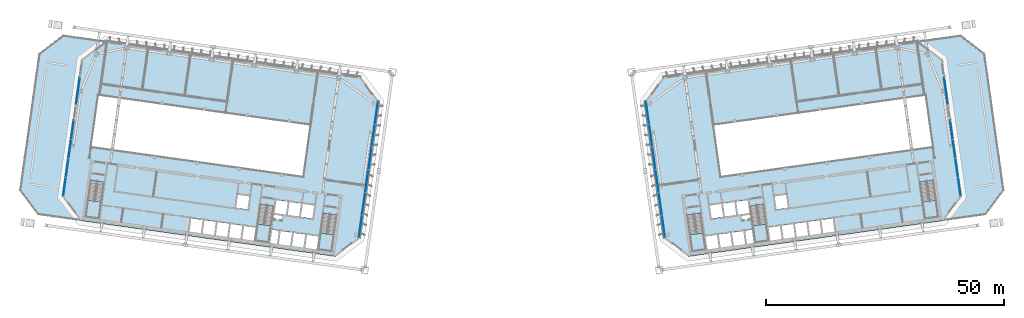
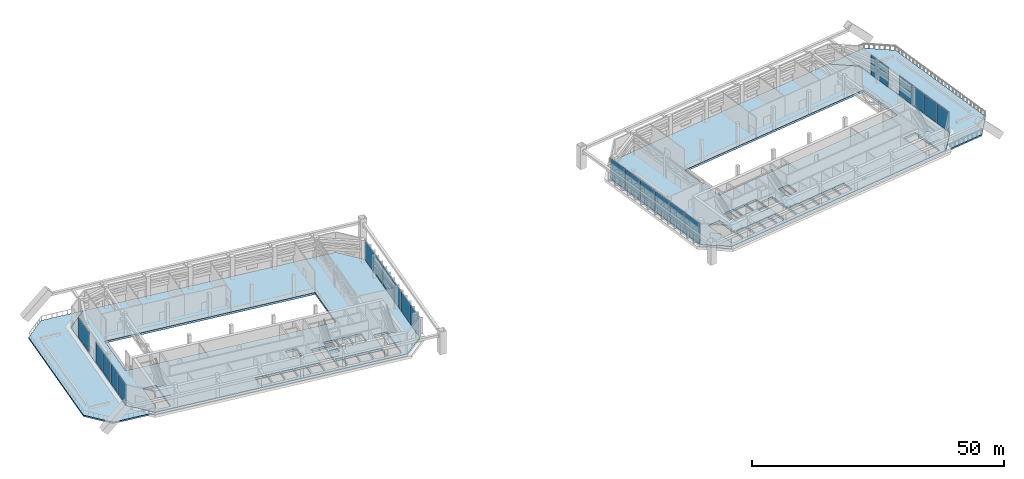
# One storey, part 19 of 41: 22 plates, 10 slabs, 12 elements without a shape of their own.
"""IFC4 building model written with IfcOpenShell, lengths in metres."""

from ifc_helpers import new_model, si_unit, direction, frame, origin, origin_2d, place, context, subcontext, project, spatial, polyline, rectangle, outline, extrude, material, layer, layer_set, type_object, element, aggregate, save


model = new_model("IFC4")

# Units and contexts
model_context = context("Model", 3, precision=1e-05, world=origin(), true_north=direction((0.0, 1.0)))
body_context = subcontext(model_context, "Body", "Model", "MODEL_VIEW")
ifc_project = project(units=[si_unit("LENGTHUNIT", "METRE"), si_unit("AREAUNIT", "SQUARE_METRE"), si_unit("VOLUMEUNIT", "CUBIC_METRE"), si_unit("PLANEANGLEUNIT", "RADIAN"), si_unit("MASSUNIT", "GRAM", prefix="KILO")], contexts=[model_context])

# Site, building, storey
site_placement = place(None, origin())
site = spatial("IfcSite", under=ifc_project, at=site_placement, CompositionType="ELEMENT")
building_placement = place(site_placement, origin())
building = spatial("IfcBuilding", under=site, at=building_placement, Name="Mirante Cascada Hotel Towers", CompositionType="ELEMENT")
storey_placement = place(building_placement, frame((0.0, 0.0, 151.9)))
storey = spatial("IfcBuildingStorey", under=building, at=storey_placement, Name="L35", CompositionType="ELEMENT", Elevation=151.9)

# Curtain wall, plates
ifc_material_1 = material(Name="Aluminium mullion and transom frame with clear laminated glass", Category="aluminium")
curtain_wall_type_1 = type_object("IfcCurtainWallType", Name="End ribbon curtain wall ECW2", PredefinedType="NOTDEFINED", material=ifc_material_1)
curtain_wall_1_placement = place(storey_placement, origin())
curtain_wall_1 = element("IfcCurtainWall", 1, at=curtain_wall_1_placement, inside=storey, type_object=curtain_wall_type_1, Name="Inner end wall T1 L35", PredefinedType="NOTDEFINED")
ifc_material_2 = material(Name="Clear laminated glass", Category="glass")
ifc_layer_1 = layer(ifc_material_2, 0.034)
ifc_layer_set_1 = layer_set([ifc_layer_1], Name="ECW2 glass panel 34")
plate_type_1 = type_object("IfcPlateType", Name="ECW2 glass panel 34", PredefinedType="CURTAIN_PANEL", material=ifc_layer_set_1)
plate_1_placement = place(storey_placement, frame((-28.4763, 9.9193, 0.1), z_axis=(0.0, 0.0, 1.0), x_axis=(-0.1391731, -0.9902681, 0.0)))
plate_1 = element("IfcPlate", 2, at=plate_1_placement, type_object=plate_type_1, Name="ECW2 panel 1", PredefinedType="CURTAIN_PANEL", context=body_context, shape_type="SweptSolid", body=[
    extrude(rectangle(XDim=4.7151, YDim=0.034, at=origin_2d()), origin(), (0.0, 0.0, 1.0), 4.85),
])
plate_2_placement = place(storey_placement, frame((-29.1439, 5.1696, 0.1), z_axis=(0.0, 0.0, 1.0), x_axis=(-0.1391731, -0.9902681, 0.0)))
plate_2 = element("IfcPlate", 3, at=plate_2_placement, type_object=plate_type_1, Name="ECW2 panel 2", PredefinedType="CURTAIN_PANEL", context=body_context, shape_type="SweptSolid", body=[
    extrude(rectangle(XDim=4.7476, YDim=0.034, at=origin_2d()), origin(), (0.0, 0.0, 1.0), 4.85),
])
plate_3_placement = place(storey_placement, frame((-29.8136, 0.4038, 0.1), z_axis=(0.0, 0.0, 1.0), x_axis=(-0.1391731, -0.9902681, 0.0)))
plate_3 = element("IfcPlate", 4, at=plate_3_placement, type_object=plate_type_1, Name="ECW2 panel 3", PredefinedType="CURTAIN_PANEL", context=body_context, shape_type="SweptSolid", body=[
    extrude(rectangle(XDim=4.7476, YDim=0.034, at=origin_2d()), origin(), (0.0, 0.0, 1.0), 4.85),
])
plate_4_placement = place(storey_placement, frame((-30.4834, -4.362, 0.1), z_axis=(0.0, 0.0, 1.0), x_axis=(-0.1391731, -0.9902681, 0.0)))
plate_4 = element("IfcPlate", 5, at=plate_4_placement, type_object=plate_type_1, Name="ECW2 panel 4", PredefinedType="CURTAIN_PANEL", context=body_context, shape_type="SweptSolid", body=[
    extrude(rectangle(XDim=4.7476, YDim=0.034, at=origin_2d()), origin(), (0.0, 0.0, 1.0), 4.85),
])
plate_5_placement = place(storey_placement, frame((-31.1532, -9.1278, 0.1), z_axis=(0.0, 0.0, 1.0), x_axis=(-0.1391731, -0.9902681, 0.0)))
plate_5 = element("IfcPlate", 6, at=plate_5_placement, type_object=plate_type_1, Name="ECW2 panel 5", PredefinedType="CURTAIN_PANEL", context=body_context, shape_type="SweptSolid", body=[
    extrude(rectangle(XDim=4.7476, YDim=0.034, at=origin_2d()), origin(), (0.0, 0.0, 1.0), 4.85),
])
plate_6_placement = place(storey_placement, frame((-31.8207, -13.8775, 0.1), z_axis=(0.0, 0.0, 1.0), x_axis=(-0.1391731, -0.9902681, 0.0)))
plate_6 = element("IfcPlate", 7, at=plate_6_placement, type_object=plate_type_1, Name="ECW2 panel 6", PredefinedType="CURTAIN_PANEL", context=body_context, shape_type="SweptSolid", body=[
    extrude(rectangle(XDim=4.7151, YDim=0.034, at=origin_2d()), origin(), (0.0, 0.0, 1.0), 4.85),
])
aggregate(curtain_wall_1, [plate_1, plate_2, plate_3, plate_4, plate_5, plate_6])

curtain_wall_2_placement = place(storey_placement, origin())
curtain_wall_2 = element("IfcCurtainWall", 8, at=curtain_wall_2_placement, inside=storey, type_object=curtain_wall_type_1, Name="Inner end wall T2 L35", PredefinedType="NOTDEFINED")
plate_7_placement = place(storey_placement, frame((28.4763, 9.9193, 0.1), z_axis=(0.0, 0.0, 1.0), x_axis=(0.1391731, -0.9902681, 0.0)))
plate_7 = element("IfcPlate", 9, at=plate_7_placement, type_object=plate_type_1, Name="ECW2 panel 1", PredefinedType="CURTAIN_PANEL", context=body_context, shape_type="SweptSolid", body=[
    extrude(rectangle(XDim=4.7151, YDim=0.034, at=origin_2d()), origin(), (0.0, 0.0, 1.0), 4.85),
])
plate_8_placement = place(storey_placement, frame((29.1439, 5.1696, 0.1), z_axis=(0.0, 0.0, 1.0), x_axis=(0.1391731, -0.9902681, 0.0)))
plate_8 = element("IfcPlate", 10, at=plate_8_placement, type_object=plate_type_1, Name="ECW2 panel 2", PredefinedType="CURTAIN_PANEL", context=body_context, shape_type="SweptSolid", body=[
    extrude(rectangle(XDim=4.7476, YDim=0.034, at=origin_2d()), origin(), (0.0, 0.0, 1.0), 4.85),
])
plate_9_placement = place(storey_placement, frame((29.8136, 0.4038, 0.1), z_axis=(0.0, 0.0, 1.0), x_axis=(0.1391731, -0.9902681, 0.0)))
plate_9 = element("IfcPlate", 11, at=plate_9_placement, type_object=plate_type_1, Name="ECW2 panel 3", PredefinedType="CURTAIN_PANEL", context=body_context, shape_type="SweptSolid", body=[
    extrude(rectangle(XDim=4.7476, YDim=0.034, at=origin_2d()), origin(), (0.0, 0.0, 1.0), 4.85),
])
plate_10_placement = place(storey_placement, frame((30.4834, -4.362, 0.1), z_axis=(0.0, 0.0, 1.0), x_axis=(0.1391731, -0.9902681, 0.0)))
plate_10 = element("IfcPlate", 12, at=plate_10_placement, type_object=plate_type_1, Name="ECW2 panel 4", PredefinedType="CURTAIN_PANEL", context=body_context, shape_type="SweptSolid", body=[
    extrude(rectangle(XDim=4.7476, YDim=0.034, at=origin_2d()), origin(), (0.0, 0.0, 1.0), 4.85),
])
plate_11_placement = place(storey_placement, frame((31.1532, -9.1278, 0.1), z_axis=(0.0, 0.0, 1.0), x_axis=(0.1391731, -0.9902681, 0.0)))
plate_11 = element("IfcPlate", 13, at=plate_11_placement, type_object=plate_type_1, Name="ECW2 panel 5", PredefinedType="CURTAIN_PANEL", context=body_context, shape_type="SweptSolid", body=[
    extrude(rectangle(XDim=4.7476, YDim=0.034, at=origin_2d()), origin(), (0.0, 0.0, 1.0), 4.85),
])
plate_12_placement = place(storey_placement, frame((31.8207, -13.8775, 0.1), z_axis=(0.0, 0.0, 1.0), x_axis=(0.1391731, -0.9902681, 0.0)))
plate_12 = element("IfcPlate", 14, at=plate_12_placement, type_object=plate_type_1, Name="ECW2 panel 6", PredefinedType="CURTAIN_PANEL", context=body_context, shape_type="SweptSolid", body=[
    extrude(rectangle(XDim=4.7151, YDim=0.034, at=origin_2d()), origin(), (0.0, 0.0, 1.0), 4.85),
])
aggregate(curtain_wall_2, [plate_7, plate_8, plate_9, plate_10, plate_11, plate_12])

ifc_material_3 = material(Name="Aluminium mullion and transom frame with clear laminated glass", Category="aluminium")
curtain_wall_type_2 = type_object("IfcCurtainWallType", Name="Sky garden curtain wall ECW4", PredefinedType="NOTDEFINED", material=ifc_material_3)
curtain_wall_3_placement = place(storey_placement, origin())
curtain_wall_3 = element("IfcCurtainWall", 15, at=curtain_wall_3_placement, inside=storey, type_object=curtain_wall_type_2, Name="Sky garden wall T1 L35 run 1", PredefinedType="NOTDEFINED")
ifc_material_4 = material(Name="Clear laminated glass", Category="glass")
ifc_layer_2 = layer(ifc_material_4, 0.038)
ifc_layer_set_2 = layer_set([ifc_layer_2], Name="ECW4 glass panel 38")
plate_type_2 = type_object("IfcPlateType", Name="ECW4 glass panel 38", PredefinedType="CURTAIN_PANEL", material=ifc_layer_set_2)
plate_13_placement = place(storey_placement, frame((-93.9661, -5.5465, 0.11), z_axis=(0.0, 0.0, 1.0), x_axis=(0.1391731, 0.9902681, 0.0)))
plate_13 = element("IfcPlate", 16, at=plate_13_placement, type_object=plate_type_2, Name="ECW4 panel 1", PredefinedType="CURTAIN_PANEL", context=body_context, shape_type="SweptSolid", body=[
    extrude(rectangle(XDim=3.897, YDim=0.038, at=origin_2d()), origin(), (0.0, 0.0, 1.0), 4.83),
])
plate_14_placement = place(storey_placement, frame((-93.4107, -1.5947, 0.11), z_axis=(0.0, 0.0, 1.0), x_axis=(0.1391731, 0.9902681, 0.0)))
plate_14 = element("IfcPlate", 17, at=plate_14_placement, type_object=plate_type_2, Name="ECW4 panel 2", PredefinedType="CURTAIN_PANEL", context=body_context, shape_type="SweptSolid", body=[
    extrude(rectangle(XDim=3.9345, YDim=0.038, at=origin_2d()), origin(), (0.0, 0.0, 1.0), 4.83),
])
plate_15_placement = place(storey_placement, frame((-92.8527, 2.3758, 0.11), z_axis=(0.0, 0.0, 1.0), x_axis=(0.1391731, 0.9902681, 0.0)))
plate_15 = element("IfcPlate", 18, at=plate_15_placement, type_object=plate_type_2, Name="ECW4 panel 3", PredefinedType="CURTAIN_PANEL", context=body_context, shape_type="SweptSolid", body=[
    extrude(rectangle(XDim=3.9345, YDim=0.038, at=origin_2d()), origin(), (0.0, 0.0, 1.0), 4.83),
])
plate_16_placement = place(storey_placement, frame((-92.2973, 6.3277, 0.11), z_axis=(0.0, 0.0, 1.0), x_axis=(0.1391731, 0.9902681, 0.0)))
plate_16 = element("IfcPlate", 19, at=plate_16_placement, type_object=plate_type_2, Name="ECW4 panel 4", PredefinedType="CURTAIN_PANEL", context=body_context, shape_type="SweptSolid", body=[
    extrude(rectangle(XDim=3.897, YDim=0.038, at=origin_2d()), origin(), (0.0, 0.0, 1.0), 4.83),
])
aggregate(curtain_wall_3, [plate_13, plate_14, plate_15, plate_16])

# Curtain wall, plate
curtain_wall_4_placement = place(storey_placement, origin())
curtain_wall_4 = element("IfcCurtainWall", 20, at=curtain_wall_4_placement, inside=storey, type_object=curtain_wall_type_2, Name="Sky garden wall T1 L35 run 3", PredefinedType="NOTDEFINED")
plate_17_placement = place(storey_placement, frame((-91.1432, 14.5394, 0.11), z_axis=(0.0, 0.0, 1.0), x_axis=(0.1391731, 0.9902681, 0.0)))
plate_17 = element("IfcPlate", 21, at=plate_17_placement, type_object=plate_type_2, Name="ECW4 panel 1", PredefinedType="CURTAIN_PANEL", context=body_context, shape_type="SweptSolid", body=[
    extrude(rectangle(XDim=5.5879, YDim=0.038, at=origin_2d()), origin(), (0.0, 0.0, 1.0), 4.83),
])
aggregate(curtain_wall_4, [plate_17])

# Curtain wall, plates
curtain_wall_5_placement = place(storey_placement, origin())
curtain_wall_5 = element("IfcCurtainWall", 22, at=curtain_wall_5_placement, inside=storey, type_object=curtain_wall_type_2, Name="Sky garden wall T2 L35 run 1", PredefinedType="NOTDEFINED")
plate_18_placement = place(storey_placement, frame((93.9661, -5.5465, 0.11), z_axis=(0.0, 0.0, 1.0), x_axis=(-0.1391731, 0.9902681, 0.0)))
plate_18 = element("IfcPlate", 23, at=plate_18_placement, type_object=plate_type_2, Name="ECW4 panel 1", PredefinedType="CURTAIN_PANEL", context=body_context, shape_type="SweptSolid", body=[
    extrude(rectangle(XDim=3.897, YDim=0.038, at=origin_2d()), origin(), (0.0, 0.0, 1.0), 4.83),
])
plate_19_placement = place(storey_placement, frame((93.4107, -1.5947, 0.11), z_axis=(0.0, 0.0, 1.0), x_axis=(-0.1391731, 0.9902681, 0.0)))
plate_19 = element("IfcPlate", 24, at=plate_19_placement, type_object=plate_type_2, Name="ECW4 panel 2", PredefinedType="CURTAIN_PANEL", context=body_context, shape_type="SweptSolid", body=[
    extrude(rectangle(XDim=3.9345, YDim=0.038, at=origin_2d()), origin(), (0.0, 0.0, 1.0), 4.83),
])
plate_20_placement = place(storey_placement, frame((92.8527, 2.3758, 0.11), z_axis=(0.0, 0.0, 1.0), x_axis=(-0.1391731, 0.9902681, 0.0)))
plate_20 = element("IfcPlate", 25, at=plate_20_placement, type_object=plate_type_2, Name="ECW4 panel 3", PredefinedType="CURTAIN_PANEL", context=body_context, shape_type="SweptSolid", body=[
    extrude(rectangle(XDim=3.9345, YDim=0.038, at=origin_2d()), origin(), (0.0, 0.0, 1.0), 4.83),
])
plate_21_placement = place(storey_placement, frame((92.2973, 6.3277, 0.11), z_axis=(0.0, 0.0, 1.0), x_axis=(-0.1391731, 0.9902681, 0.0)))
plate_21 = element("IfcPlate", 26, at=plate_21_placement, type_object=plate_type_2, Name="ECW4 panel 4", PredefinedType="CURTAIN_PANEL", context=body_context, shape_type="SweptSolid", body=[
    extrude(rectangle(XDim=3.897, YDim=0.038, at=origin_2d()), origin(), (0.0, 0.0, 1.0), 4.83),
])
aggregate(curtain_wall_5, [plate_18, plate_19, plate_20, plate_21])

# Curtain wall, plate
curtain_wall_6_placement = place(storey_placement, origin())
curtain_wall_6 = element("IfcCurtainWall", 27, at=curtain_wall_6_placement, inside=storey, type_object=curtain_wall_type_2, Name="Sky garden wall T2 L35 run 3", PredefinedType="NOTDEFINED")
plate_22_placement = place(storey_placement, frame((91.1432, 14.5394, 0.11), z_axis=(0.0, 0.0, 1.0), x_axis=(-0.1391731, 0.9902681, 0.0)))
plate_22 = element("IfcPlate", 28, at=plate_22_placement, type_object=plate_type_2, Name="ECW4 panel 1", PredefinedType="CURTAIN_PANEL", context=body_context, shape_type="SweptSolid", body=[
    extrude(rectangle(XDim=5.5879, YDim=0.038, at=origin_2d()), origin(), (0.0, 0.0, 1.0), 4.83),
])
aggregate(curtain_wall_6, [plate_22])

# Stair, slab
ifc_material_5 = material(Name="Concrete C35/45", Category="concrete")
stair_type = type_object("IfcStairType", Name="Exit stair half-turn 1350 concrete C35/45", PredefinedType="HALF_TURN_STAIR", material=ifc_material_5)
stair_1_placement = place(storey_placement, origin())
stair_1 = element("IfcStair", 29, at=stair_1_placement, inside=storey, type_object=stair_type, Name="L35 Exit stair A", PredefinedType="HALF_TURN_STAIR")
ifc_material_6 = material(Name="Concrete C35/45", Category="concrete")
ifc_layer_3 = layer(ifc_material_6, 0.2)
ifc_layer_set_3 = layer_set([ifc_layer_3], Name="Exit stair landing 200 concrete C35/45")
slab_type_1 = type_object("IfcSlabType", Name="Exit stair landing 200 concrete C35/45", PredefinedType="LANDING", material=ifc_layer_set_3)
slab_1_placement = place(storey_placement, frame((0.0, 0.0, 2.55)))
slab_1 = element("IfcSlab", 30, at=slab_1_placement, type_object=slab_type_1, Name="ST1-A landing 1", PredefinedType="LANDING", context=body_context, shape_type="SweptSolid", body=[
    extrude(outline(polyline([(-40.1936, -15.2523), (-40.6887, -18.7757), (-37.8665, -19.1723), (-37.3713, -15.6489), (-40.1936, -15.2523)])), origin(), (0.0, 0.0, 1.0), 0.2),
])
aggregate(stair_1, [slab_1])

stair_2_placement = place(storey_placement, origin())
stair_2 = element("IfcStair", 31, at=stair_2_placement, inside=storey, type_object=stair_type, Name="L35 Exit stair B", PredefinedType="HALF_TURN_STAIR")
slab_2_placement = place(storey_placement, frame((0.0, 0.0, 2.55)))
slab_2 = element("IfcSlab", 32, at=slab_2_placement, type_object=slab_type_1, Name="ST1-B landing 1", PredefinedType="LANDING", context=body_context, shape_type="SweptSolid", body=[
    extrude(outline(polyline([(-53.4136, -13.3943), (-53.9088, -16.9177), (-51.0866, -17.3144), (-50.5914, -13.791), (-53.4136, -13.3943)])), origin(), (0.0, 0.0, 1.0), 0.2),
])
aggregate(stair_2, [slab_2])

stair_3_placement = place(storey_placement, origin())
stair_3 = element("IfcStair", 33, at=stair_3_placement, inside=storey, type_object=stair_type, Name="L35 Exit stair C", PredefinedType="HALF_TURN_STAIR")
slab_3_placement = place(storey_placement, frame((0.0, 0.0, 2.55)))
slab_3 = element("IfcSlab", 34, at=slab_3_placement, type_object=slab_type_1, Name="ST1-C landing 1", PredefinedType="LANDING", context=body_context, shape_type="SweptSolid", body=[
    extrude(outline(polyline([(-89.0633, -8.3841), (-89.5585, -11.9075), (-86.7362, -12.3041), (-86.241, -8.7808), (-89.0633, -8.3841)])), origin(), (0.0, 0.0, 1.0), 0.2),
])
aggregate(stair_3, [slab_3])

stair_4_placement = place(storey_placement, origin())
stair_4 = element("IfcStair", 35, at=stair_4_placement, inside=storey, type_object=stair_type, Name="L35 Exit stair A", PredefinedType="HALF_TURN_STAIR")
slab_4_placement = place(storey_placement, frame((0.0, 0.0, 2.55)))
slab_4 = element("IfcSlab", 36, at=slab_4_placement, type_object=slab_type_1, Name="ST2-A landing 1", PredefinedType="LANDING", context=body_context, shape_type="SweptSolid", body=[
    extrude(outline(polyline([(37.3713, -15.6489), (37.8665, -19.1723), (40.6887, -18.7757), (40.1936, -15.2523), (37.3713, -15.6489)])), origin(), (0.0, 0.0, 1.0), 0.2),
])
aggregate(stair_4, [slab_4])

stair_5_placement = place(storey_placement, origin())
stair_5 = element("IfcStair", 37, at=stair_5_placement, inside=storey, type_object=stair_type, Name="L35 Exit stair B", PredefinedType="HALF_TURN_STAIR")
slab_5_placement = place(storey_placement, frame((0.0, 0.0, 2.55)))
slab_5 = element("IfcSlab", 38, at=slab_5_placement, type_object=slab_type_1, Name="ST2-B landing 1", PredefinedType="LANDING", context=body_context, shape_type="SweptSolid", body=[
    extrude(outline(polyline([(50.5914, -13.791), (51.0866, -17.3144), (53.9088, -16.9177), (53.4136, -13.3943), (50.5914, -13.791)])), origin(), (0.0, 0.0, 1.0), 0.2),
])
aggregate(stair_5, [slab_5])

stair_6_placement = place(storey_placement, origin())
stair_6 = element("IfcStair", 39, at=stair_6_placement, inside=storey, type_object=stair_type, Name="L35 Exit stair C", PredefinedType="HALF_TURN_STAIR")
slab_6_placement = place(storey_placement, frame((0.0, 0.0, 2.55)))
slab_6 = element("IfcSlab", 40, at=slab_6_placement, type_object=slab_type_1, Name="ST2-C landing 1", PredefinedType="LANDING", context=body_context, shape_type="SweptSolid", body=[
    extrude(outline(polyline([(86.241, -8.7808), (86.7362, -12.3041), (89.5585, -11.9075), (89.0633, -8.3841), (86.241, -8.7808)])), origin(), (0.0, 0.0, 1.0), 0.2),
])
aggregate(stair_6, [slab_6])

# Slabs
ifc_material_7 = material(Name="Concrete C40/50", Category="concrete")
ifc_layer_4 = layer(ifc_material_7, 0.5)
ifc_layer_set_4 = layer_set([ifc_layer_4], Name="Post-tensioned flat plate 500 Concrete C40/50")
slab_type_2 = type_object("IfcSlabType", Name="Post-tensioned flat plate 500 Concrete C40/50", PredefinedType="FLOOR", material=ifc_layer_set_4)
slab_7_placement = place(storey_placement, frame((0.0, 0.0, -0.5)))
element("IfcSlab", 41, at=slab_7_placement, inside=storey, type_object=slab_type_2, Name="Floor T1 L35", PredefinedType="FLOOR", context=body_context, shape_type="SweptSolid", body=[
    extrude(outline(polyline([(-32.018, -16.3589), (-27.982, 12.3589), (-31.8119, 17.4414), (-85.2864, 24.9567), (-85.2864, 24.9567), (-85.2864, 24.9567), (-85.2864, 24.9567), (-85.2864, 24.9567), (-85.2864, 24.9567), (-85.2864, 24.9567), (-85.2864, 24.9567), (-85.2864, 24.9567), (-90.3689, 21.1268), (-94.4049, -7.591), (-90.575, -12.6735), (-90.575, -12.6735), (-90.575, -12.6735), (-90.575, -12.6735), (-90.575, -12.6735), (-90.575, -12.6735), (-90.575, -12.6735), (-90.575, -12.6735), (-90.575, -12.6735), (-37.1005, -20.1888), (-32.018, -16.3589)]), holes=[polyline([(-43.0718, -15.6132), (-40.5961, -15.9612), (-40.9858, -18.7339), (-43.4615, -18.386), (-43.0718, -15.6132)]), polyline([(-45.8446, -15.2236), (-43.3689, -15.5715), (-43.7586, -18.3442), (-46.2342, -17.9963), (-45.8446, -15.2236)]), polyline([(-48.6173, -14.8339), (-46.1416, -15.1818), (-46.5313, -17.9546), (-49.007, -17.6066), (-48.6173, -14.8339)]), polyline([(-50.3998, -14.5834), (-48.9144, -14.7921), (-49.3041, -17.5649), (-50.7895, -17.3561), (-50.3998, -14.5834)]), polyline([(-36.7887, -11.5037), (-37.8665, -19.1723), (-40.6887, -18.7757), (-39.611, -11.107), (-36.7887, -11.5037)]), polyline([(-49.9544, -11.4145), (-48.1472, -11.6685), (-48.2829, -12.634), (-50.0901, -12.38), (-49.9544, -11.4145)]), polyline([(-43.9775, -9.124), (-41.5018, -9.472), (-41.8915, -12.2447), (-44.3672, -11.8968), (-43.9775, -9.124)]), polyline([(-47.1399, -11.5071), (-46.7503, -8.7344), (-44.2746, -9.0823), (-44.6643, -11.855), (-47.1399, -11.5071)]), polyline([(-49.9127, -11.1174), (-49.523, -8.3447), (-47.0473, -8.6926), (-47.437, -11.4654), (-49.9127, -11.1174)]), polyline([(-56.2919, -13.7553), (-53.8162, -14.1032), (-54.2059, -16.876), (-56.6816, -16.528), (-56.2919, -13.7553)]), polyline([(-59.0646, -13.3656), (-56.589, -13.7135), (-56.9787, -16.4863), (-59.4543, -16.1383), (-59.0646, -13.3656)]), polyline([(-61.8374, -12.9759), (-59.3617, -13.3238), (-59.7514, -16.0966), (-62.2271, -15.7487), (-61.8374, -12.9759)]), polyline([(-64.6101, -12.5862), (-62.1345, -12.9342), (-62.5242, -15.7069), (-64.9998, -15.359), (-64.6101, -12.5862)]), polyline([(-67.3829, -12.1965), (-64.9072, -12.5445), (-65.2969, -15.3172), (-67.7726, -14.9693), (-67.3829, -12.1965)]), polyline([(-50.0088, -9.6457), (-51.0866, -17.3144), (-53.9088, -16.9177), (-52.8311, -9.2491), (-50.0088, -9.6457)]), polyline([(-85.6585, -4.6355), (-86.7362, -12.3041), (-89.5585, -11.9075), (-88.4807, -4.2388), (-85.6585, -4.6355)]), polyline([(-57.9834, -9.9832), (-57.5937, -7.2104), (-55.118, -7.5583), (-55.5077, -10.3311), (-57.9834, -9.9832)]), polyline([(-88.4039, 2.7747), (-86.873, 13.6677), (-42.3109, 7.4049), (-43.8418, -3.4881), (-88.4039, 2.7747)])]), origin(), (0.0, 0.0, 1.0), 0.5),
])
slab_8_placement = place(storey_placement, frame((0.0, 0.0, -0.5)))
element("IfcSlab", 42, at=slab_8_placement, inside=storey, type_object=slab_type_2, Name="Floor T2 L35", PredefinedType="FLOOR", context=body_context, shape_type="SweptSolid", body=[
    extrude(outline(polyline([(32.018, -16.3589), (27.982, 12.3589), (31.8119, 17.4414), (85.2864, 24.9567), (85.2864, 24.9567), (85.2864, 24.9567), (85.2864, 24.9567), (85.2864, 24.9567), (85.2864, 24.9567), (85.2864, 24.9567), (85.2864, 24.9567), (85.2864, 24.9567), (90.3689, 21.1268), (94.4049, -7.591), (90.575, -12.6735), (90.575, -12.6735), (90.575, -12.6735), (90.575, -12.6735), (90.575, -12.6735), (90.575, -12.6735), (90.575, -12.6735), (90.575, -12.6735), (90.575, -12.6735), (37.1005, -20.1888), (32.018, -16.3589)]), holes=[polyline([(43.0718, -15.6132), (40.5961, -15.9612), (40.9858, -18.7339), (43.4615, -18.386), (43.0718, -15.6132)]), polyline([(45.8446, -15.2236), (43.3689, -15.5715), (43.7586, -18.3442), (46.2342, -17.9963), (45.8446, -15.2236)]), polyline([(48.6173, -14.8339), (46.1416, -15.1818), (46.5313, -17.9546), (49.007, -17.6066), (48.6173, -14.8339)]), polyline([(50.3998, -14.5834), (48.9144, -14.7921), (49.3041, -17.5649), (50.7895, -17.3561), (50.3998, -14.5834)]), polyline([(37.8665, -19.1723), (40.6887, -18.7757), (39.611, -11.107), (36.7887, -11.5037), (37.8665, -19.1723)]), polyline([(49.9544, -11.4145), (48.1472, -11.6685), (48.2829, -12.634), (50.0901, -12.38), (49.9544, -11.4145)]), polyline([(43.9775, -9.124), (41.5018, -9.472), (41.8915, -12.2447), (44.3672, -11.8968), (43.9775, -9.124)]), polyline([(47.1399, -11.5071), (46.7503, -8.7344), (44.2746, -9.0823), (44.6643, -11.855), (47.1399, -11.5071)]), polyline([(49.9127, -11.1174), (49.523, -8.3447), (47.0473, -8.6926), (47.437, -11.4654), (49.9127, -11.1174)]), polyline([(56.2919, -13.7553), (53.8162, -14.1032), (54.2059, -16.876), (56.6816, -16.528), (56.2919, -13.7553)]), polyline([(59.0646, -13.3656), (56.589, -13.7135), (56.9787, -16.4863), (59.4543, -16.1383), (59.0646, -13.3656)]), polyline([(61.8374, -12.9759), (59.3617, -13.3238), (59.7514, -16.0966), (62.2271, -15.7487), (61.8374, -12.9759)]), polyline([(64.6101, -12.5862), (62.1345, -12.9342), (62.5242, -15.7069), (64.9998, -15.359), (64.6101, -12.5862)]), polyline([(67.3829, -12.1965), (64.9072, -12.5445), (65.2969, -15.3172), (67.7726, -14.9693), (67.3829, -12.1965)]), polyline([(51.0866, -17.3144), (53.9088, -16.9177), (52.8311, -9.2491), (50.0088, -9.6457), (51.0866, -17.3144)]), polyline([(86.7362, -12.3041), (89.5585, -11.9075), (88.4807, -4.2388), (85.6585, -4.6355), (86.7362, -12.3041)]), polyline([(57.9834, -9.9832), (57.5937, -7.2104), (55.118, -7.5583), (55.5077, -10.3311), (57.9834, -9.9832)]), polyline([(88.4039, 2.7747), (86.873, 13.6677), (42.3109, 7.4049), (43.8418, -3.4881), (88.4039, 2.7747)])]), origin(), (0.0, 0.0, 1.0), 0.5),
])
ifc_material_8 = material(Name="Concrete C40/50", Category="concrete")
ifc_layer_5 = layer(ifc_material_8, 0.35)
ifc_layer_set_5 = layer_set([ifc_layer_5], Name="Terrace slab 350 Concrete C40/50")
slab_type_3 = type_object("IfcSlabType", Name="Terrace slab 350 Concrete C40/50", PredefinedType="FLOOR", material=ifc_layer_set_5)
slab_9_placement = place(storey_placement, frame((0.0, 0.0, -0.35)))
element("IfcSlab", 43, at=slab_9_placement, inside=storey, type_object=slab_type_3, Name="Terrace T1 L35", PredefinedType="FLOOR", context=body_context, shape_type="SweptSolid", body=[
    extrude(outline(polyline([(-94.1988, 26.2093), (-99.2813, 22.3794), (-103.3173, -6.3384), (-99.4874, -11.4209), (-90.575, -12.6735), (-94.4049, -7.591), (-90.3689, 21.1268), (-85.2864, 24.9567), (-94.1988, 26.2093)])), origin(), (0.0, 0.0, 1.0), 0.35),
])
slab_10_placement = place(storey_placement, frame((0.0, 0.0, -0.35)))
element("IfcSlab", 44, at=slab_10_placement, inside=storey, type_object=slab_type_3, Name="Terrace T2 L35", PredefinedType="FLOOR", context=body_context, shape_type="SweptSolid", body=[
    extrude(outline(polyline([(94.1988, 26.2093), (99.2813, 22.3794), (103.3173, -6.3384), (99.4874, -11.4209), (90.575, -12.6735), (94.4049, -7.591), (90.3689, 21.1268), (85.2864, 24.9567), (94.1988, 26.2093)])), origin(), (0.0, 0.0, 1.0), 0.35),
])

save(model, "model.ifc")
